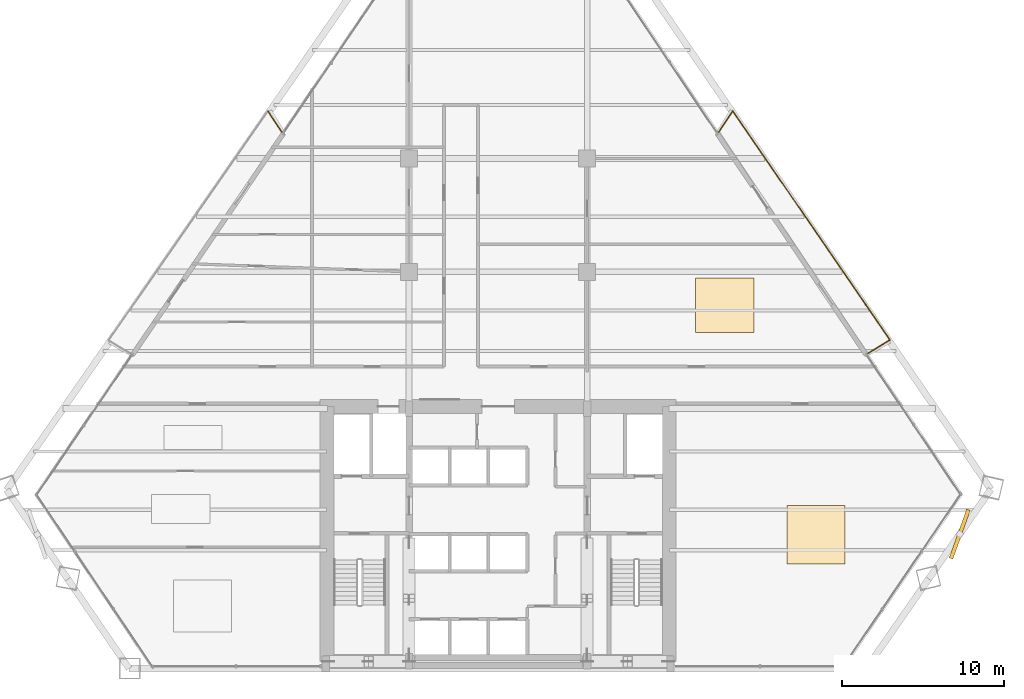
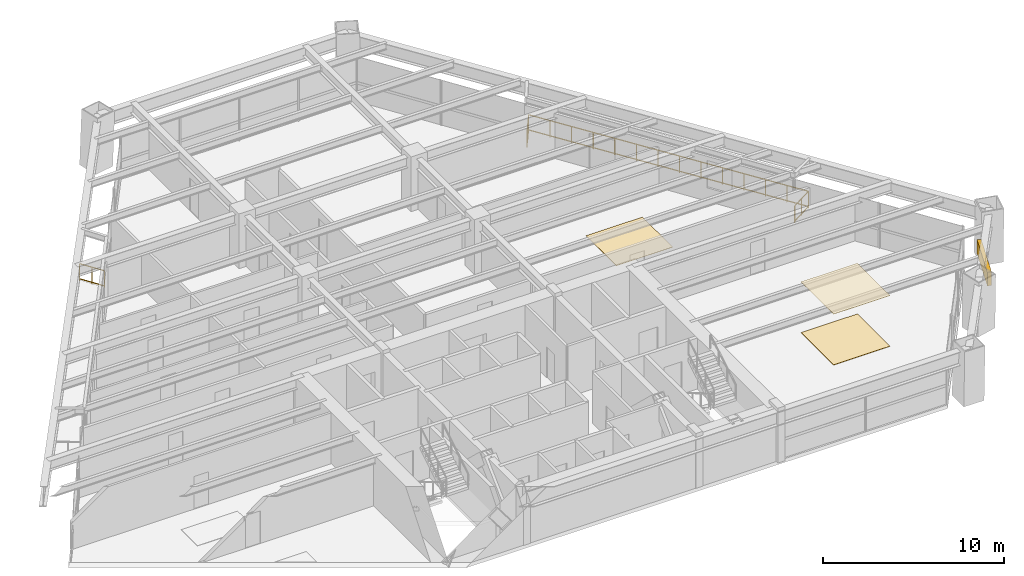
# One storey, part 14 of 14: 4 railings, 3 coverings, 1 shading device.
"""IFC4 building model written with IfcOpenShell, lengths in metres."""

from ifc_helpers import new_model, si_unit, direction, frame, origin, origin_2d, place, context, subcontext, project, spatial, rectangle, extrude, source, transform, mapped, material, layer, layer_set, type_object, type_shapes, element, save


model = new_model("IFC4")

# Units and contexts
model_context = context("Model", 3, precision=1e-05, world=origin(), true_north=direction((0.0, 1.0)))
body_context = subcontext(model_context, "Body", "Model", "MODEL_VIEW")
ifc_project = project(units=[si_unit("LENGTHUNIT", "METRE"), si_unit("AREAUNIT", "SQUARE_METRE"), si_unit("VOLUMEUNIT", "CUBIC_METRE"), si_unit("PLANEANGLEUNIT", "RADIAN"), si_unit("MASSUNIT", "GRAM", prefix="KILO")], contexts=[model_context])

# Site, building, storey
site_placement = place(None, origin())
site = spatial("IfcSite", under=ifc_project, at=site_placement, CompositionType="ELEMENT")
building_placement = place(site_placement, origin())
building = spatial("IfcBuilding", under=site, at=building_placement, Name="Varnakhor Terracotta Tower", CompositionType="ELEMENT")
storey_placement = place(building_placement, frame((0.0, 0.0, 42.300048828125)))
storey = spatial("IfcBuildingStorey", under=building, at=storey_placement, Name="L09", CompositionType="ELEMENT", Elevation=42.300048828125)

# Railings
ifc_material_1 = material(Name="Stainless Steel & Laminated Glass Guardrail", Category="steel")
railing_type = type_object("IfcRailingType", Name="RLG-LOGGIA-GUARD-1150", PredefinedType="GUARDRAIL", material=ifc_material_1)
railing_1_placement = place(storey_placement, frame((13.633544921875, 33.143798828125, 0.0)))
element("IfcRailing", 1, at=railing_1_placement, inside=storey, type_object=railing_type, Name="L09 E Loggia Glass Guard 1", PredefinedType="GUARDRAIL", context=body_context, shape_type="SweptSolid", body=[
    extrude(rectangle(XDim=0.048095703125, YDim=0.048095703125, at=origin_2d()), frame((0.0, 0.0, 1.1259765625), z_axis=(0.552551929123, 0.833478473401, 0.0), x_axis=(-0.833478473401, 0.552551929123, 0.0)), (0.0, 0.0, 1.0), 1.548583984375),
    extrude(rectangle(XDim=0.048095703125, YDim=0.048095703125, at=origin_2d()), frame((0.0, 0.0, 0.10009765625), z_axis=(0.552551929123, 0.833478473401, 0.0), x_axis=(-0.833478473401, 0.552551929123, 0.0)), (0.0, 0.0, 1.0), 1.548583984375),
    extrude(rectangle(XDim=0.0419921875, YDim=0.0419921875, at=origin_2d()), origin(), (0.0, 0.0, 1.0), 1.101806640625),
    extrude(rectangle(XDim=0.0419921875, YDim=0.0419921875, at=origin_2d()), frame((0.427734375, 0.6455078125, 0.0)), (0.0, 0.0, 1.0), 1.101806640625),
    extrude(rectangle(XDim=0.0419921875, YDim=0.0419921875, at=origin_2d()), frame((0.855712890625, 1.290771484375, 0.0)), (0.0, 0.0, 1.0), 1.101806640625),
])
railing_2_placement = place(storey_placement, frame((14.4892578125, 34.4345703125, 0.0)))
element("IfcRailing", 2, at=railing_2_placement, inside=storey, type_object=railing_type, Name="L09 E Loggia Glass Guard 2", PredefinedType="GUARDRAIL", context=body_context, shape_type="SweptSolid", body=[
    extrude(rectangle(XDim=0.048095703125, YDim=0.048095703125, at=origin_2d()), frame((0.0, 0.0, 1.1259765625), z_axis=(0.566246120925, -0.824236210402, 0.0), x_axis=(0.824236210402, 0.566246120925, 0.0)), (0.0, 0.0, 1.0), 17.15478515625),
    extrude(rectangle(XDim=0.048095703125, YDim=0.048095703125, at=origin_2d()), frame((0.0, 0.0, 0.10009765625), z_axis=(0.566246120925, -0.824236210402, 0.0), x_axis=(0.824236210402, 0.566246120925, 0.0)), (0.0, 0.0, 1.0), 17.15478515625),
    extrude(rectangle(XDim=0.0419921875, YDim=0.0419921875, at=origin_2d()), origin(), (0.0, 0.0, 1.0), 1.101806640625),
    extrude(rectangle(XDim=0.0419921875, YDim=0.0419921875, at=origin_2d()), frame((0.747314453125, -1.087646484375, 0.0)), (0.0, 0.0, 1.0), 1.101806640625),
    extrude(rectangle(XDim=0.0419921875, YDim=0.0419921875, at=origin_2d()), frame((1.494384765625, -2.17529296875, 0.0)), (0.0, 0.0, 1.0), 1.101806640625),
    extrude(rectangle(XDim=0.0419921875, YDim=0.0419921875, at=origin_2d()), frame((2.24169921875, -3.262939453125, 0.0)), (0.0, 0.0, 1.0), 1.101806640625),
    extrude(rectangle(XDim=0.0419921875, YDim=0.0419921875, at=origin_2d()), frame((2.98876953125, -4.3505859375, 0.0)), (0.0, 0.0, 1.0), 1.101806640625),
    extrude(rectangle(XDim=0.0419921875, YDim=0.0419921875, at=origin_2d()), frame((3.736083984375, -5.438232421875, 0.0)), (0.0, 0.0, 1.0), 1.101806640625),
    extrude(rectangle(XDim=0.0419921875, YDim=0.0419921875, at=origin_2d()), frame((4.4833984375, -6.52587890625, 0.0)), (0.0, 0.0, 1.0), 1.101806640625),
    extrude(rectangle(XDim=0.0419921875, YDim=0.0419921875, at=origin_2d()), frame((5.23046875, -7.61376953125, 0.0)), (0.0, 0.0, 1.0), 1.101806640625),
    extrude(rectangle(XDim=0.0419921875, YDim=0.0419921875, at=origin_2d()), frame((5.977783203125, -8.701416015625, 0.0)), (0.0, 0.0, 1.0), 1.101806640625),
    extrude(rectangle(XDim=0.0419921875, YDim=0.0419921875, at=origin_2d()), frame((6.72509765625, -9.7890625, 0.0)), (0.0, 0.0, 1.0), 1.101806640625),
    extrude(rectangle(XDim=0.0419921875, YDim=0.0419921875, at=origin_2d()), frame((7.47216796875, -10.876708984375, 0.0)), (0.0, 0.0, 1.0), 1.101806640625),
    extrude(rectangle(XDim=0.0419921875, YDim=0.0419921875, at=origin_2d()), frame((8.219482421875, -11.96435546875, 0.0)), (0.0, 0.0, 1.0), 1.101806640625),
    extrude(rectangle(XDim=0.0419921875, YDim=0.0419921875, at=origin_2d()), frame((8.966552734375, -13.052001953125, 0.0)), (0.0, 0.0, 1.0), 1.101806640625),
    extrude(rectangle(XDim=0.0419921875, YDim=0.0419921875, at=origin_2d()), frame((9.7138671875, -14.1396484375, 0.0)), (0.0, 0.0, 1.0), 1.101806640625),
])
railing_3_placement = place(storey_placement, frame((24.203125, 20.294921875, 0.0)))
element("IfcRailing", 3, at=railing_3_placement, inside=storey, type_object=railing_type, Name="L09 E Loggia Glass Guard 3", PredefinedType="GUARDRAIL", context=body_context, shape_type="SweptSolid", body=[
    extrude(rectangle(XDim=0.048095703125, YDim=0.048095703125, at=origin_2d()), frame((0.0, 0.0, 1.1259765625), z_axis=(-0.851410663091, -0.524499649929, 0.0), x_axis=(0.524499649929, -0.851410663091, 0.0)), (0.0, 0.0, 1.0), 1.591552734375),
    extrude(rectangle(XDim=0.048095703125, YDim=0.048095703125, at=origin_2d()), frame((0.0, 0.0, 0.10009765625), z_axis=(-0.851410663091, -0.524499649929, 0.0), x_axis=(0.524499649929, -0.851410663091, 0.0)), (0.0, 0.0, 1.0), 1.591552734375),
    extrude(rectangle(XDim=0.0419921875, YDim=0.0419921875, at=origin_2d()), origin(), (0.0, 0.0, 1.0), 1.101806640625),
    extrude(rectangle(XDim=0.0419921875, YDim=0.0419921875, at=origin_2d()), frame((-0.677490234375, -0.41748046875, 0.0)), (0.0, 0.0, 1.0), 1.101806640625),
    extrude(rectangle(XDim=0.0419921875, YDim=0.0419921875, at=origin_2d()), frame((-1.35498046875, -0.834716796875, 0.0)), (0.0, 0.0, 1.0), 1.101806640625),
])
railing_4_placement = place(storey_placement, frame((-14.2236328125, 34.427001953125, 0.0)))
element("IfcRailing", 4, at=railing_4_placement, inside=storey, type_object=railing_type, Name="L09 W Loggia Glass Guard 3", PredefinedType="GUARDRAIL", context=body_context, shape_type="SweptSolid", body=[
    extrude(rectangle(XDim=0.048095703125, YDim=0.048095703125, at=origin_2d()), frame((0.0, 0.0, 1.1259765625), z_axis=(0.552661429876, -0.833405869866, 0.0), x_axis=(0.833405869866, 0.552661429876, 0.0)), (0.0, 0.0, 1.0), 1.548828125),
    extrude(rectangle(XDim=0.048095703125, YDim=0.048095703125, at=origin_2d()), frame((0.0, 0.0, 0.10009765625), z_axis=(0.552661429876, -0.833405869866, 0.0), x_axis=(0.833405869866, 0.552661429876, 0.0)), (0.0, 0.0, 1.0), 1.548828125),
    extrude(rectangle(XDim=0.0419921875, YDim=0.0419921875, at=origin_2d()), origin(), (0.0, 0.0, 1.0), 1.101806640625),
    extrude(rectangle(XDim=0.0419921875, YDim=0.0419921875, at=origin_2d()), frame((0.427978515625, -0.6455078125, 0.0)), (0.0, 0.0, 1.0), 1.101806640625),
    extrude(rectangle(XDim=0.0419921875, YDim=0.0419921875, at=origin_2d()), frame((0.85595703125, -1.290771484375, 0.0)), (0.0, 0.0, 1.0), 1.101806640625),
])

# Shading device
ifc_material_2 = material(Name="Extruded Architectural Terracotta Screen", Category="masonry")
shading_device_type = type_object("IfcShadingDeviceType", Name="TERRACOTTA SOLAR SCREEN E", PredefinedType="USERDEFINED", material=ifc_material_2)
shared_shape_1 = source(origin(), body_context, "Body", "SweptSolid", [
    extrude(rectangle(XDim=3.199951171875, YDim=0.239990234375, at=origin_2d()), origin(), (0.0, 0.0, 1.0), 0.919921875),
])
type_shapes(shading_device_type, [shared_shape_1])
shading_device_placement = place(storey_placement, frame((28.515625, 8.29833984375, 1.617919921875), z_axis=(0.0, 0.0, 1.0), x_axis=(0.33854085521, 0.940951693422, 0.0)))
element("IfcShadingDevice", 5, at=shading_device_placement, inside=storey, type_object=shading_device_type, Name="L09 E Terracotta Solar Screen", ObjectType="SCREEN", PredefinedType="USERDEFINED", context=body_context, shape_type="MappedRepresentation", body=[
    mapped(shared_shape_1, transform((0.0, 0.0, 0.0), scale=1.0)),
])

# Coverings
ifc_material_3 = material(Name="Honed Riyadh Limestone Flooring", Category="masonry")
ifc_layer_1 = layer(ifc_material_3, 0.030029296875, Name="Honed Riyadh Limestone Flooring")
ifc_layer_set_1 = layer_set([ifc_layer_1], Name="Honed Riyadh Limestone Flooring")
covering_type_1 = type_object("IfcCoveringType", Name="COV-FLOOR-LIMESTONE", PredefinedType="FLOORING", material=ifc_layer_set_1)
shared_shape_2 = source(origin(), body_context, "Body", "SweptSolid", [
    extrude(rectangle(XDim=3.60009765625, YDim=3.60009765625, at=origin_2d()), origin(), (0.0, 0.0, 1.0), 0.02001953125),
])
covering_1_placement = place(storey_placement, frame((19.62890625, 8.26611328125, 0.0), z_axis=(0.0, 0.0, 1.0), x_axis=(1.0, 0.0, 0.0)))
element("IfcCovering", 6, at=covering_1_placement, inside=storey, type_object=covering_type_1, Name="L09 Honed Stone Flooring 2", PredefinedType="FLOORING", context=body_context, shape_type="MappedRepresentation", body=[
    mapped(shared_shape_2, transform((0.0, 0.0, 0.0), scale=1.0)),
])
ifc_material_4 = material(Name="Perforated Acoustic Mineral-Fibre Ceiling", Category="gypsum")
ifc_layer_2 = layer(ifc_material_4, 0.02490234375, Name="Perforated Acoustic Mineral-Fibre Ceiling")
ifc_layer_set_2 = layer_set([ifc_layer_2], Name="Perforated Acoustic Mineral-Fibre Ceiling")
covering_type_2 = type_object("IfcCoveringType", Name="COV-CEILING-ACOUSTIC", PredefinedType="CEILING", material=ifc_layer_set_2)
shared_shape_3 = source(origin(), body_context, "Body", "SweptSolid", [
    extrude(rectangle(XDim=3.60009765625, YDim=3.60009765625, at=origin_2d()), origin(), (0.0, 0.0, 1.0), 0.02392578125),
])
covering_2_placement = place(storey_placement, frame((19.62890625, 8.26611328125, 3.426025390625), z_axis=(0.0, 0.0, 1.0), x_axis=(1.0, 0.0, 0.0)))
element("IfcCovering", 7, at=covering_2_placement, inside=storey, type_object=covering_type_2, Name="L09 Acoustic Ceiling Panel 2", PredefinedType="CEILING", context=body_context, shape_type="MappedRepresentation", body=[
    mapped(shared_shape_3, transform((0.0, 0.0, 0.0), scale=1.0)),
])
shared_shape_4 = source(origin(), body_context, "Body", "SweptSolid", [
    extrude(rectangle(XDim=3.60009765625, YDim=3.342041015625, at=origin_2d()), origin(), (0.0, 0.0, 1.0), 0.02001953125),
])
covering_3_placement = place(storey_placement, frame((13.9970703125, 22.43603515625, 0.0), z_axis=(0.0, 0.0, 1.0), x_axis=(1.0, 0.0, 0.0)))
element("IfcCovering", 8, at=covering_3_placement, inside=storey, type_object=covering_type_1, Name="L09 Honed Stone Flooring 5", PredefinedType="FLOORING", context=body_context, shape_type="MappedRepresentation", body=[
    mapped(shared_shape_4, transform((0.0, 0.0, 0.0), scale=1.0)),
])

save(model, "model.ifc")
